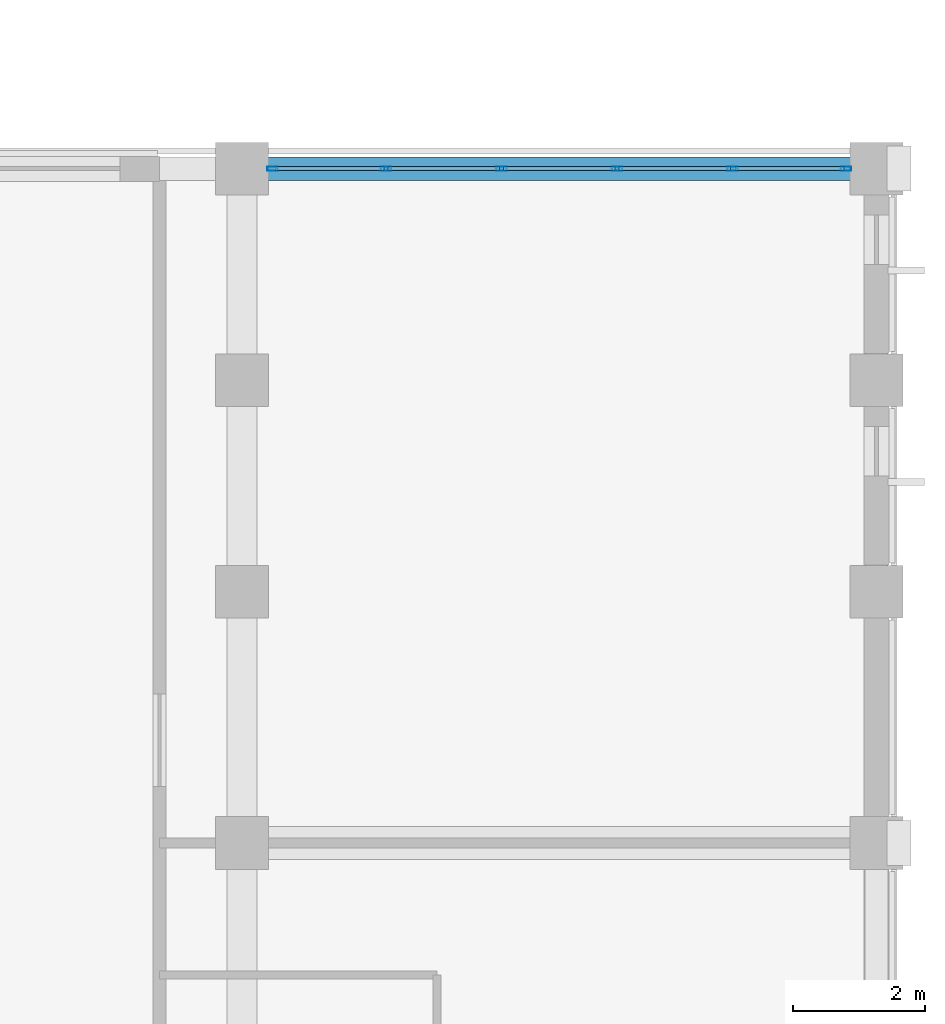
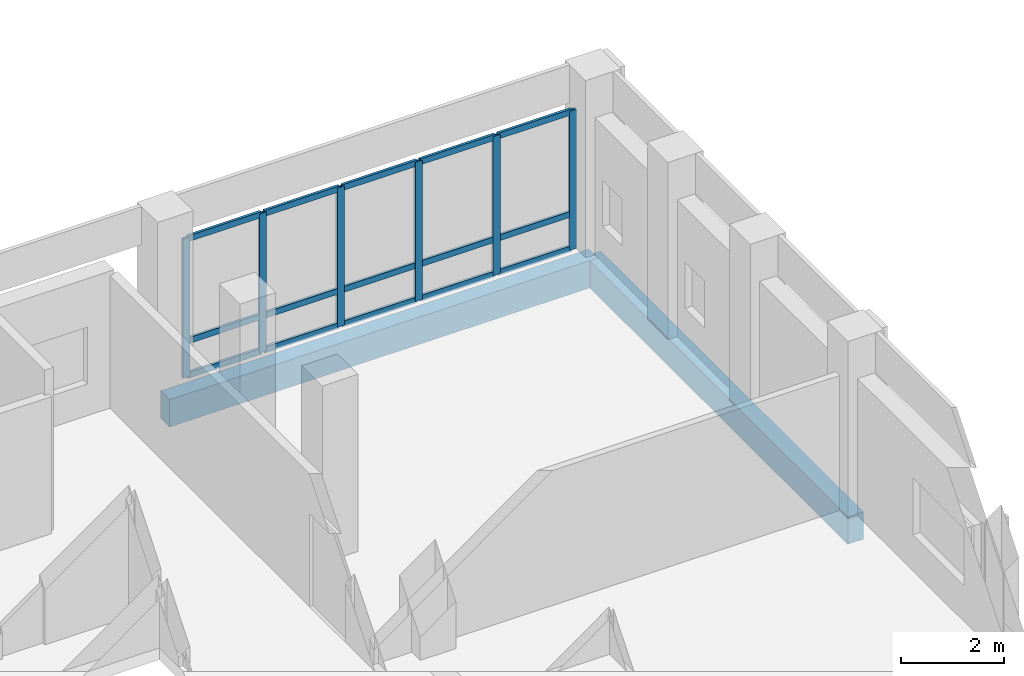
# One storey, part 92 of 170: 21 members, 2 beams, 1 element without a shape of its own.
"""IFC4 building model written with IfcOpenShell, lengths in metres."""

from ifc_helpers import new_model, si_unit, direction, frame, origin, origin_2d, place, context, subcontext, project, spatial, rectangle, hollow_rectangle, extrude, material, material_profile, profile_set, type_object, element, aggregate, save


model = new_model("IFC4")

# Units and contexts
model_context = context("Model", 3, precision=1e-05, world=origin(), true_north=direction((0.0, 1.0)))
body_context = subcontext(model_context, "Body", "Model", "MODEL_VIEW")
ifc_project = project(units=[si_unit("LENGTHUNIT", "METRE"), si_unit("AREAUNIT", "SQUARE_METRE"), si_unit("VOLUMEUNIT", "CUBIC_METRE"), si_unit("PLANEANGLEUNIT", "RADIAN"), si_unit("MASSUNIT", "GRAM", prefix="KILO")], contexts=[model_context])

# Site, building, storey
site_placement = place(None, origin())
site = spatial("IfcSite", under=ifc_project, at=site_placement, CompositionType="ELEMENT")
building_placement = place(site_placement, origin())
building = spatial("IfcBuilding", under=site, at=building_placement, Name="Vondelvale Polytechnic", CompositionType="ELEMENT")
storey_placement = place(building_placement, frame((0.0, 0.0, 5.39990234375)))
storey = spatial("IfcBuildingStorey", under=building, at=storey_placement, Name="L01", CompositionType="ELEMENT", Elevation=5.39990234375)

# Curtain wall, members
ifc_material_1 = material(Name="Anodised extruded aluminium 6063-T6", Category="aluminium")
curtain_wall_type = type_object("IfcCurtainWallType", Name="CW-STUDIO-NORTH", PredefinedType="NOTDEFINED", material=ifc_material_1)
curtain_wall_placement = place(storey_placement, origin())
curtain_wall = element("IfcCurtainWall", 1, at=curtain_wall_placement, inside=storey, type_object=curtain_wall_type, Name="L01 architectural curtain wall CW-01-062", PredefinedType="NOTDEFINED")
ifc_material_profile_1 = material_profile(ifc_material_1, hollow_rectangle(XDim=0.06494140625, YDim=0.159912109375, WallThickness=0.0048828125, at=origin_2d()), Name="CW-MUL-160x65")
ifc_profile_set_1 = profile_set([ifc_material_profile_1], Name="Anodised extruded aluminium 6063-T6")
member_type_1 = type_object("IfcMemberType", Name="CW-MUL-65x160", PredefinedType="MULLION", material=ifc_profile_set_1)
member_1_placement = place(storey_placement, frame((163.66259765625, 30.60009765625, 0.0), z_axis=(0.0, 0.0, 1.0), x_axis=(0.0, 1.0, 0.0)))
member_1 = element("IfcMember", 2, at=member_1_placement, type_object=member_type_1, Name="CW-01-062 mullion 1", PredefinedType="MULLION", context=body_context, shape_type="SweptSolid", body=[
    extrude(hollow_rectangle(XDim=0.06494140625, YDim=0.159912109375, WallThickness=0.0048828125, at=origin_2d()), origin(), (0.0, 0.0, 1.0), 3.300048828125),
])
member_2_placement = place(storey_placement, frame((165.3779296875, 30.60009765625, 0.0), z_axis=(0.0, 0.0, 1.0), x_axis=(0.0, 1.0, 0.0)))
member_2 = element("IfcMember", 3, at=member_2_placement, type_object=member_type_1, Name="CW-01-062 mullion 2", PredefinedType="MULLION", context=body_context, shape_type="SweptSolid", body=[
    extrude(hollow_rectangle(XDim=0.06494140625, YDim=0.159912109375, WallThickness=0.0048828125, at=origin_2d()), origin(), (0.0, 0.0, 1.0), 3.300048828125),
])
member_3_placement = place(storey_placement, frame((167.1259765625, 30.60009765625, 0.0), z_axis=(0.0, 0.0, 1.0), x_axis=(0.0, 1.0, 0.0)))
member_3 = element("IfcMember", 4, at=member_3_placement, type_object=member_type_1, Name="CW-01-062 mullion 3", PredefinedType="MULLION", context=body_context, shape_type="SweptSolid", body=[
    extrude(hollow_rectangle(XDim=0.06494140625, YDim=0.159912109375, WallThickness=0.0048828125, at=origin_2d()), origin(), (0.0, 0.0, 1.0), 3.300048828125),
])
member_4_placement = place(storey_placement, frame((168.8740234375, 30.60009765625, 0.0), z_axis=(0.0, 0.0, 1.0), x_axis=(0.0, 1.0, 0.0)))
member_4 = element("IfcMember", 5, at=member_4_placement, type_object=member_type_1, Name="CW-01-062 mullion 4", PredefinedType="MULLION", context=body_context, shape_type="SweptSolid", body=[
    extrude(hollow_rectangle(XDim=0.06494140625, YDim=0.159912109375, WallThickness=0.0048828125, at=origin_2d()), origin(), (0.0, 0.0, 1.0), 3.300048828125),
])
member_5_placement = place(storey_placement, frame((170.6220703125, 30.60009765625, 0.0), z_axis=(0.0, 0.0, 1.0), x_axis=(0.0, 1.0, 0.0)))
member_5 = element("IfcMember", 6, at=member_5_placement, type_object=member_type_1, Name="CW-01-062 mullion 5", PredefinedType="MULLION", context=body_context, shape_type="SweptSolid", body=[
    extrude(hollow_rectangle(XDim=0.06494140625, YDim=0.159912109375, WallThickness=0.0048828125, at=origin_2d()), origin(), (0.0, 0.0, 1.0), 3.300048828125),
])
member_6_placement = place(storey_placement, frame((172.33740234375, 30.60009765625, 0.0), z_axis=(0.0, 0.0, 1.0), x_axis=(0.0, 1.0, 0.0)))
member_6 = element("IfcMember", 7, at=member_6_placement, type_object=member_type_1, Name="CW-01-062 mullion 6", PredefinedType="MULLION", context=body_context, shape_type="SweptSolid", body=[
    extrude(hollow_rectangle(XDim=0.06494140625, YDim=0.159912109375, WallThickness=0.0048828125, at=origin_2d()), origin(), (0.0, 0.0, 1.0), 3.300048828125),
])
ifc_material_profile_2 = material_profile(ifc_material_1, hollow_rectangle(XDim=0.06005859375, YDim=0.139892578125, WallThickness=0.00341796875, at=origin_2d()), Name="CW-TRN-140x60")
ifc_profile_set_2 = profile_set([ifc_material_profile_2], Name="Anodised extruded aluminium 6063-T6")
member_type_2 = type_object("IfcMemberType", Name="CW-TRN-60x140", PredefinedType="USERDEFINED", material=ifc_profile_set_2)
member_7_placement = place(storey_placement, frame((163.695068359375, 30.60009765625, 0.030029296875), z_axis=(1.0, 0.0, 0.0), x_axis=(0.0, 1.0, 0.0)))
member_7 = element("IfcMember", 8, at=member_7_placement, type_object=member_type_2, Name="CW-01-062 transom 1.1", ObjectType="TRANSOM", PredefinedType="USERDEFINED", context=body_context, shape_type="SweptSolid", body=[
    extrude(hollow_rectangle(XDim=0.06005859375, YDim=0.139892578125, WallThickness=0.00341796875, at=origin_2d()), origin(), (0.0, 0.0, 1.0), 1.650390625),
])
member_8_placement = place(storey_placement, frame((163.695068359375, 30.60009765625, 0.85009765625), z_axis=(1.0, 0.0, 0.0), x_axis=(0.0, 1.0, 0.0)))
member_8 = element("IfcMember", 9, at=member_8_placement, type_object=member_type_2, Name="CW-01-062 transom 1.2", ObjectType="TRANSOM", PredefinedType="USERDEFINED", context=body_context, shape_type="SweptSolid", body=[
    extrude(hollow_rectangle(XDim=0.06005859375, YDim=0.139892578125, WallThickness=0.00341796875, at=origin_2d()), origin(), (0.0, 0.0, 1.0), 1.650390625),
])
member_9_placement = place(storey_placement, frame((163.695068359375, 30.60009765625, 3.27001953125), z_axis=(1.0, 0.0, 0.0), x_axis=(0.0, 1.0, 0.0)))
member_9 = element("IfcMember", 10, at=member_9_placement, type_object=member_type_2, Name="CW-01-062 transom 1.3", ObjectType="TRANSOM", PredefinedType="USERDEFINED", context=body_context, shape_type="SweptSolid", body=[
    extrude(hollow_rectangle(XDim=0.06005859375, YDim=0.139892578125, WallThickness=0.00341796875, at=origin_2d()), origin(), (0.0, 0.0, 1.0), 1.650390625),
])
member_10_placement = place(storey_placement, frame((165.410400390625, 30.60009765625, 0.030029296875), z_axis=(1.0, 0.0, 0.0), x_axis=(0.0, 1.0, 0.0)))
member_10 = element("IfcMember", 11, at=member_10_placement, type_object=member_type_2, Name="CW-01-062 transom 2.1", ObjectType="TRANSOM", PredefinedType="USERDEFINED", context=body_context, shape_type="SweptSolid", body=[
    extrude(hollow_rectangle(XDim=0.06005859375, YDim=0.139892578125, WallThickness=0.00341796875, at=origin_2d()), origin(), (0.0, 0.0, 1.0), 1.68310546875),
])
member_11_placement = place(storey_placement, frame((165.410400390625, 30.60009765625, 0.85009765625), z_axis=(1.0, 0.0, 0.0), x_axis=(0.0, 1.0, 0.0)))
member_11 = element("IfcMember", 12, at=member_11_placement, type_object=member_type_2, Name="CW-01-062 transom 2.2", ObjectType="TRANSOM", PredefinedType="USERDEFINED", context=body_context, shape_type="SweptSolid", body=[
    extrude(hollow_rectangle(XDim=0.06005859375, YDim=0.139892578125, WallThickness=0.00341796875, at=origin_2d()), origin(), (0.0, 0.0, 1.0), 1.68310546875),
])
member_12_placement = place(storey_placement, frame((165.410400390625, 30.60009765625, 3.27001953125), z_axis=(1.0, 0.0, 0.0), x_axis=(0.0, 1.0, 0.0)))
member_12 = element("IfcMember", 13, at=member_12_placement, type_object=member_type_2, Name="CW-01-062 transom 2.3", ObjectType="TRANSOM", PredefinedType="USERDEFINED", context=body_context, shape_type="SweptSolid", body=[
    extrude(hollow_rectangle(XDim=0.06005859375, YDim=0.139892578125, WallThickness=0.00341796875, at=origin_2d()), origin(), (0.0, 0.0, 1.0), 1.68310546875),
])
member_13_placement = place(storey_placement, frame((167.158447265625, 30.60009765625, 0.030029296875), z_axis=(1.0, 0.0, 0.0), x_axis=(0.0, 1.0, 0.0)))
member_13 = element("IfcMember", 14, at=member_13_placement, type_object=member_type_2, Name="CW-01-062 transom 3.1", ObjectType="TRANSOM", PredefinedType="USERDEFINED", context=body_context, shape_type="SweptSolid", body=[
    extrude(hollow_rectangle(XDim=0.06005859375, YDim=0.139892578125, WallThickness=0.00341796875, at=origin_2d()), origin(), (0.0, 0.0, 1.0), 1.68310546875),
])
member_14_placement = place(storey_placement, frame((167.158447265625, 30.60009765625, 0.85009765625), z_axis=(1.0, 0.0, 0.0), x_axis=(0.0, 1.0, 0.0)))
member_14 = element("IfcMember", 15, at=member_14_placement, type_object=member_type_2, Name="CW-01-062 transom 3.2", ObjectType="TRANSOM", PredefinedType="USERDEFINED", context=body_context, shape_type="SweptSolid", body=[
    extrude(hollow_rectangle(XDim=0.06005859375, YDim=0.139892578125, WallThickness=0.00341796875, at=origin_2d()), origin(), (0.0, 0.0, 1.0), 1.68310546875),
])
member_15_placement = place(storey_placement, frame((167.158447265625, 30.60009765625, 3.27001953125), z_axis=(1.0, 0.0, 0.0), x_axis=(0.0, 1.0, 0.0)))
member_15 = element("IfcMember", 16, at=member_15_placement, type_object=member_type_2, Name="CW-01-062 transom 3.3", ObjectType="TRANSOM", PredefinedType="USERDEFINED", context=body_context, shape_type="SweptSolid", body=[
    extrude(hollow_rectangle(XDim=0.06005859375, YDim=0.139892578125, WallThickness=0.00341796875, at=origin_2d()), origin(), (0.0, 0.0, 1.0), 1.68310546875),
])
member_16_placement = place(storey_placement, frame((168.906494140625, 30.60009765625, 0.030029296875), z_axis=(1.0, 0.0, 0.0), x_axis=(0.0, 1.0, 0.0)))
member_16 = element("IfcMember", 17, at=member_16_placement, type_object=member_type_2, Name="CW-01-062 transom 4.1", ObjectType="TRANSOM", PredefinedType="USERDEFINED", context=body_context, shape_type="SweptSolid", body=[
    extrude(hollow_rectangle(XDim=0.06005859375, YDim=0.139892578125, WallThickness=0.00341796875, at=origin_2d()), origin(), (0.0, 0.0, 1.0), 1.68310546875),
])
member_17_placement = place(storey_placement, frame((168.906494140625, 30.60009765625, 0.85009765625), z_axis=(1.0, 0.0, 0.0), x_axis=(0.0, 1.0, 0.0)))
member_17 = element("IfcMember", 18, at=member_17_placement, type_object=member_type_2, Name="CW-01-062 transom 4.2", ObjectType="TRANSOM", PredefinedType="USERDEFINED", context=body_context, shape_type="SweptSolid", body=[
    extrude(hollow_rectangle(XDim=0.06005859375, YDim=0.139892578125, WallThickness=0.00341796875, at=origin_2d()), origin(), (0.0, 0.0, 1.0), 1.68310546875),
])
member_18_placement = place(storey_placement, frame((168.906494140625, 30.60009765625, 3.27001953125), z_axis=(1.0, 0.0, 0.0), x_axis=(0.0, 1.0, 0.0)))
member_18 = element("IfcMember", 19, at=member_18_placement, type_object=member_type_2, Name="CW-01-062 transom 4.3", ObjectType="TRANSOM", PredefinedType="USERDEFINED", context=body_context, shape_type="SweptSolid", body=[
    extrude(hollow_rectangle(XDim=0.06005859375, YDim=0.139892578125, WallThickness=0.00341796875, at=origin_2d()), origin(), (0.0, 0.0, 1.0), 1.68310546875),
])
member_19_placement = place(storey_placement, frame((170.654541015625, 30.60009765625, 0.030029296875), z_axis=(1.0, 0.0, 0.0), x_axis=(0.0, 1.0, 0.0)))
member_19 = element("IfcMember", 20, at=member_19_placement, type_object=member_type_2, Name="CW-01-062 transom 5.1", ObjectType="TRANSOM", PredefinedType="USERDEFINED", context=body_context, shape_type="SweptSolid", body=[
    extrude(hollow_rectangle(XDim=0.06005859375, YDim=0.139892578125, WallThickness=0.00341796875, at=origin_2d()), origin(), (0.0, 0.0, 1.0), 1.650390625),
])
member_20_placement = place(storey_placement, frame((170.654541015625, 30.60009765625, 0.85009765625), z_axis=(1.0, 0.0, 0.0), x_axis=(0.0, 1.0, 0.0)))
member_20 = element("IfcMember", 21, at=member_20_placement, type_object=member_type_2, Name="CW-01-062 transom 5.2", ObjectType="TRANSOM", PredefinedType="USERDEFINED", context=body_context, shape_type="SweptSolid", body=[
    extrude(hollow_rectangle(XDim=0.06005859375, YDim=0.139892578125, WallThickness=0.00341796875, at=origin_2d()), origin(), (0.0, 0.0, 1.0), 1.650390625),
])
member_21_placement = place(storey_placement, frame((170.654541015625, 30.60009765625, 3.27001953125), z_axis=(1.0, 0.0, 0.0), x_axis=(0.0, 1.0, 0.0)))
member_21 = element("IfcMember", 22, at=member_21_placement, type_object=member_type_2, Name="CW-01-062 transom 5.3", ObjectType="TRANSOM", PredefinedType="USERDEFINED", context=body_context, shape_type="SweptSolid", body=[
    extrude(hollow_rectangle(XDim=0.06005859375, YDim=0.139892578125, WallThickness=0.00341796875, at=origin_2d()), origin(), (0.0, 0.0, 1.0), 1.650390625),
])
aggregate(curtain_wall, [member_1, member_2, member_3, member_4, member_5, member_6, member_7, member_8, member_9, member_10, member_11, member_12, member_13, member_14, member_15, member_16, member_17, member_18, member_19, member_20, member_21])

# Beams
ifc_material_2 = material(Name="Precast concrete N40 (f'c = 40 MPa)", Category="concrete")
ifc_material_profile_3 = material_profile(ifc_material_2, rectangle(XDim=0.35009765625, YDim=0.64990234375, at=origin_2d()), Name="RC-SPN-350x650")
ifc_profile_set_3 = profile_set([ifc_material_profile_3], Name="Precast concrete N40 (f'c = 40 MPa)")
beam_type = type_object("IfcBeamType", Name="SPN-PRE350x650", PredefinedType="SPANDREL", material=ifc_profile_set_3)
beam_1_placement = place(storey_placement, frame((163.199951171875, 30.60009765625, -0.60498046875), z_axis=(1.0, 0.0, 0.0), x_axis=(0.0, 1.0, 0.0)))
element("IfcBeam", 23, at=beam_1_placement, inside=storey, type_object=beam_type, Name="L01 B SP-02", PredefinedType="SPANDREL", context=body_context, shape_type="SweptSolid", body=[
    extrude(rectangle(XDim=0.35009765625, YDim=0.64990234375, at=origin_2d()), origin(), (0.0, 0.0, 1.0), 9.60009765625),
])
beam_2_placement = place(storey_placement, frame((172.800048828125, 20.39990234375, -0.60498046875), z_axis=(0.0, 1.0, 0.0), x_axis=(-1.0, 0.0, 0.0)))
element("IfcBeam", 24, at=beam_2_placement, inside=storey, type_object=beam_type, Name="L01 B SP-02", PredefinedType="SPANDREL", context=body_context, shape_type="SweptSolid", body=[
    extrude(rectangle(XDim=0.35009765625, YDim=0.64990234375, at=origin_2d()), origin(), (0.0, 0.0, 1.0), 10.2001953125),
])

save(model, "model.ifc")
